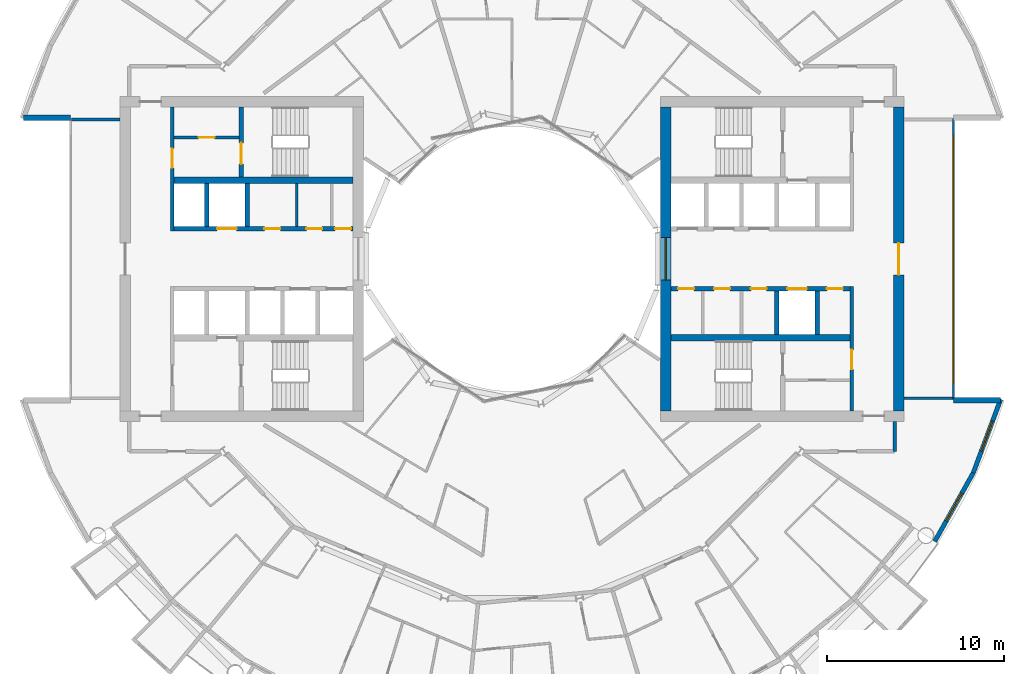
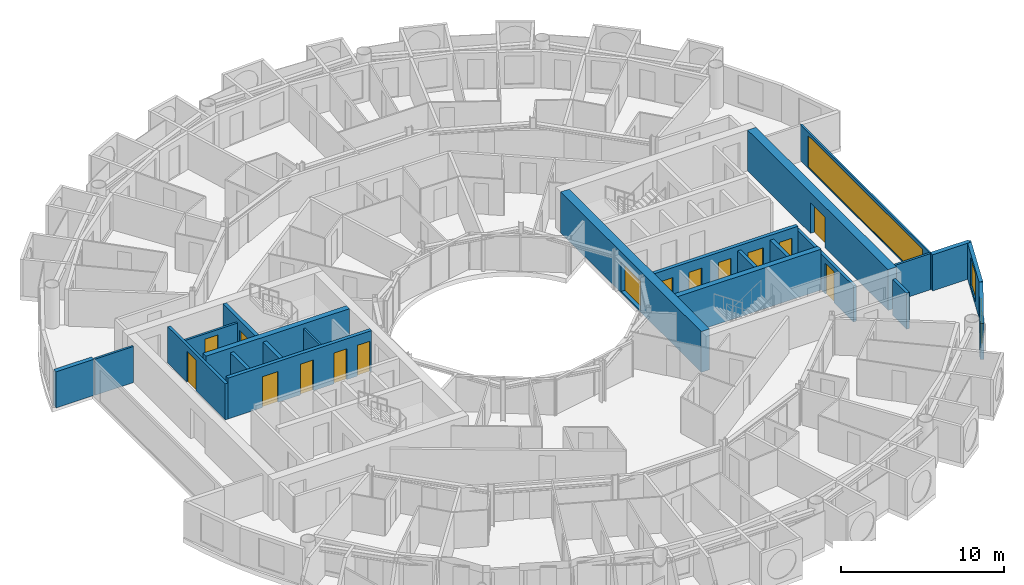
# One storey, part 18 of 27: 23 walls, 14 doors, 4 windows, 18 openings.
"""IFC4 building model written with IfcOpenShell, lengths in metres."""

from ifc_helpers import new_model, si_unit, direction, frame, frame_2d, origin, place, context, subcontext, project, spatial, rectangle, extrude, material, layer, layer_set, type_object, element, fill, save


model = new_model("IFC4")

# Units and contexts
model_context = context("Model", 3, precision=1e-05, world=origin(), true_north=direction((0.0, 1.0)))
body_context = subcontext(model_context, "Body", "Model", "MODEL_VIEW")
ifc_project = project(units=[si_unit("LENGTHUNIT", "METRE"), si_unit("AREAUNIT", "SQUARE_METRE"), si_unit("VOLUMEUNIT", "CUBIC_METRE"), si_unit("PLANEANGLEUNIT", "RADIAN"), si_unit("MASSUNIT", "GRAM", prefix="KILO")], contexts=[model_context])

# Site, building, storey
site_placement = place(None, origin())
site = spatial("IfcSite", under=ifc_project, at=site_placement, CompositionType="ELEMENT")
building_placement = place(site_placement, origin())
building = spatial("IfcBuilding", under=site, at=building_placement, Name="Maasbend Ring Residences", CompositionType="ELEMENT")
storey_placement = place(building_placement, frame((0.0, 0.0, 117.75)))
storey = spatial("IfcBuildingStorey", under=building, at=storey_placement, Name="L33", CompositionType="ELEMENT", Elevation=117.75)

# Wall, openings, doors
ifc_material_1 = material(Name="Concrete C60/75", Category="concrete")
ifc_layer_1 = layer(ifc_material_1, 0.25)
ifc_layer_set_1 = layer_set([ifc_layer_1], Name="Concrete C60/75")
wall_type_1 = type_object("IfcWallType", Name="CORE WALL 250 C60/75", PredefinedType="SHEAR", material=ifc_layer_set_1)
wall_1_placement = place(storey_placement, frame((19.14990234375, -1.699951171875, 0.0), z_axis=(0.0, 0.0, 1.0), x_axis=(-1.0, 0.0, 0.0)))
wall_1 = element("IfcWall", 1, at=wall_1_placement, inside=storey, type_object=wall_type_1, Name="L33 core E wall SPS", PredefinedType="SHEAR", context=body_context, shape_type="SweptSolid", body=[
    extrude(rectangle(XDim=10.14990234375, YDim=0.25, at=frame_2d((5.074951171875, 0.0))), origin(), (0.0, 0.0, 1.0), 3.050048828125),
])
opening_1_placement = place(wall_1_placement, frame((2.449951171875, 0.0, 0.0)))
opening_1 = element("IfcOpeningElement", 2, at=opening_1_placement, cuts=wall_1, Name="Opening LD-E3305", PredefinedType="OPENING", context=body_context, shape_type="SweptSolid", body=[
    extrude(rectangle(XDim=1.10009765625, YDim=2.300048828125, at=frame_2d((0.550048828125, 1.14990234375))), frame((0.0, 0.135009765625, 0.0), z_axis=(0.0, -1.0, 0.0), x_axis=(1.0, 0.0, 0.0)), (0.0, 0.0, 1.0), 0.27001953125),
])
opening_2_placement = place(wall_1_placement, frame((8.83740234375, 0.0, 0.0)))
opening_2 = element("IfcOpeningElement", 3, at=opening_2_placement, cuts=wall_1, Name="Opening D-E3306", PredefinedType="OPENING", context=body_context, shape_type="SweptSolid", body=[
    extrude(rectangle(XDim=0.89990234375, YDim=2.300048828125, at=frame_2d((0.449951171875, 1.14990234375))), frame((0.0, 0.135009765625, 0.0), z_axis=(0.0, -1.0, 0.0), x_axis=(1.0, 0.0, 0.0)), (0.0, 0.0, 1.0), 0.27001953125),
])
opening_3_placement = place(wall_1_placement, frame((6.800048828125, 0.0, 0.0)))
opening_3 = element("IfcOpeningElement", 4, at=opening_3_placement, cuts=wall_1, Name="Opening D-E3307", PredefinedType="OPENING", context=body_context, shape_type="SweptSolid", body=[
    extrude(rectangle(XDim=0.89990234375, YDim=2.300048828125, at=frame_2d((0.449951171875, 1.14990234375))), frame((0.0, 0.135009765625, 0.0), z_axis=(0.0, -1.0, 0.0), x_axis=(1.0, 0.0, 0.0)), (0.0, 0.0, 1.0), 0.27001953125),
])
opening_4_placement = place(wall_1_placement, frame((4.72509765625, 0.0, 0.0)))
opening_4 = element("IfcOpeningElement", 5, at=opening_4_placement, cuts=wall_1, Name="Opening D-E3308", PredefinedType="OPENING", context=body_context, shape_type="SweptSolid", body=[
    extrude(rectangle(XDim=0.89990234375, YDim=2.300048828125, at=frame_2d((0.449951171875, 1.14990234375))), frame((0.0, 0.135009765625, 0.0), z_axis=(0.0, -1.0, 0.0), x_axis=(1.0, 0.0, 0.0)), (0.0, 0.0, 1.0), 0.27001953125),
])
opening_5_placement = place(wall_1_placement, frame((0.41259765625, 0.0, 0.0)))
opening_5 = element("IfcOpeningElement", 6, at=opening_5_placement, cuts=wall_1, Name="Opening D-E3309", PredefinedType="OPENING", context=body_context, shape_type="SweptSolid", body=[
    extrude(rectangle(XDim=0.89990234375, YDim=2.300048828125, at=frame_2d((0.449951171875, 1.14990234375))), frame((0.0, 0.135009765625, 0.0), z_axis=(0.0, -1.0, 0.0), x_axis=(1.0, 0.0, 0.0)), (0.0, 0.0, 1.0), 0.27001953125),
])
ifc_material_2 = material(Name="Stainless steel 316", Category="steel")
door_type_1 = type_object("IfcDoorType", Name="LANDING DOOR 1100 X 2300 FD60", OperationType="DOUBLE_DOOR_SLIDING", PredefinedType="DOOR", material=ifc_material_2)
door_1_placement = place(opening_1_placement, origin())
door_1 = element("IfcDoor", 7, at=door_1_placement, inside=storey, type_object=door_type_1, Name="Landing door SV-E L33", OperationType="DOUBLE_DOOR_SLIDING", OverallHeight=2.300048828125, OverallWidth=1.10009765625, PredefinedType="DOOR", context=body_context, shape_type="SweptSolid", body=[
    extrude(rectangle(XDim=1.10009765625, YDim=2.300048828125, at=frame_2d((0.550048828125, 1.14990234375))), frame((0.0, 0.02490234375, 0.0), z_axis=(0.0, -1.0, 0.0), x_axis=(1.0, 0.0, 0.0)), (0.0, 0.0, 1.0), 0.050048828125),
])
fill(opening_1, door_1)
ifc_material_3 = material(Name="Steel, powder coated", Category="steel")
door_type_2 = type_object("IfcDoorType", Name="ROOM DOOR 900 X 2300 FD30S", OperationType="NOTDEFINED", PredefinedType="DOOR", material=ifc_material_3)
door_2_placement = place(opening_2_placement, origin())
door_2 = element("IfcDoor", 8, at=door_2_placement, inside=storey, type_object=door_type_2, Name="Room door L33", OperationType="SINGLE_SWING_LEFT", OverallHeight=2.300048828125, OverallWidth=0.89990234375, PredefinedType="DOOR", context=body_context, shape_type="SweptSolid", body=[
    extrude(rectangle(XDim=0.89990234375, YDim=2.300048828125, at=frame_2d((0.449951171875, 1.14990234375))), frame((0.0, 0.02490234375, 0.0), z_axis=(0.0, -1.0, 0.0), x_axis=(1.0, 0.0, 0.0)), (0.0, 0.0, 1.0), 0.050048828125),
])
fill(opening_2, door_2)
door_3_placement = place(opening_3_placement, origin())
door_3 = element("IfcDoor", 9, at=door_3_placement, inside=storey, type_object=door_type_2, Name="Room door L33", OperationType="SINGLE_SWING_LEFT", OverallHeight=2.300048828125, OverallWidth=0.89990234375, PredefinedType="DOOR", context=body_context, shape_type="SweptSolid", body=[
    extrude(rectangle(XDim=0.89990234375, YDim=2.300048828125, at=frame_2d((0.449951171875, 1.14990234375))), frame((0.0, 0.02490234375, 0.0), z_axis=(0.0, -1.0, 0.0), x_axis=(1.0, 0.0, 0.0)), (0.0, 0.0, 1.0), 0.050048828125),
])
fill(opening_3, door_3)
door_4_placement = place(opening_4_placement, origin())
door_4 = element("IfcDoor", 10, at=door_4_placement, inside=storey, type_object=door_type_2, Name="Room door L33", OperationType="SINGLE_SWING_LEFT", OverallHeight=2.300048828125, OverallWidth=0.89990234375, PredefinedType="DOOR", context=body_context, shape_type="SweptSolid", body=[
    extrude(rectangle(XDim=0.89990234375, YDim=2.300048828125, at=frame_2d((0.449951171875, 1.14990234375))), frame((0.0, 0.02490234375, 0.0), z_axis=(0.0, -1.0, 0.0), x_axis=(1.0, 0.0, 0.0)), (0.0, 0.0, 1.0), 0.050048828125),
])
fill(opening_4, door_4)
door_5_placement = place(opening_5_placement, origin())
door_5 = element("IfcDoor", 11, at=door_5_placement, inside=storey, type_object=door_type_2, Name="Room door L33", OperationType="SINGLE_SWING_RIGHT", OverallHeight=2.300048828125, OverallWidth=0.89990234375, PredefinedType="DOOR", context=body_context, shape_type="SweptSolid", body=[
    extrude(rectangle(XDim=0.89990234375, YDim=2.300048828125, at=frame_2d((0.449951171875, 1.14990234375))), frame((0.0, 0.02490234375, 0.0), z_axis=(0.0, -1.0, 0.0), x_axis=(1.0, 0.0, 0.0)), (0.0, 0.0, 1.0), 0.050048828125),
])
fill(opening_5, door_5)

wall_2_placement = place(storey_placement, frame((-19.14990234375, 1.699951171875, 0.0), z_axis=(0.0, 0.0, 1.0), x_axis=(1.0, 0.0, 0.0)))
wall_2 = element("IfcWall", 12, at=wall_2_placement, inside=storey, type_object=wall_type_1, Name="L33 core W wall SPS", PredefinedType="SHEAR", context=body_context, shape_type="SweptSolid", body=[
    extrude(rectangle(XDim=10.14990234375, YDim=0.25, at=frame_2d((5.074951171875, 0.0))), origin(), (0.0, 0.0, 1.0), 3.050048828125),
])
opening_6_placement = place(wall_2_placement, frame((2.449951171875, 0.0, 0.0)))
opening_6 = element("IfcOpeningElement", 13, at=opening_6_placement, cuts=wall_2, Name="Opening LD-W3305", PredefinedType="OPENING", context=body_context, shape_type="SweptSolid", body=[
    extrude(rectangle(XDim=1.10009765625, YDim=2.300048828125, at=frame_2d((0.550048828125, 1.14990234375))), frame((0.0, 0.135009765625, 0.0), z_axis=(0.0, -1.0, 0.0), x_axis=(1.0, 0.0, 0.0)), (0.0, 0.0, 1.0), 0.27001953125),
])
opening_7_placement = place(wall_2_placement, frame((9.137451171875, 0.0, 0.0)))
opening_7 = element("IfcOpeningElement", 14, at=opening_7_placement, cuts=wall_2, Name="Opening D-W3306", PredefinedType="OPENING", context=body_context, shape_type="SweptSolid", body=[
    extrude(rectangle(XDim=0.89990234375, YDim=2.300048828125, at=frame_2d((0.449951171875, 1.14990234375))), frame((0.0, 0.135009765625, 0.0), z_axis=(0.0, -1.0, 0.0), x_axis=(1.0, 0.0, 0.0)), (0.0, 0.0, 1.0), 0.27001953125),
])
opening_8_placement = place(wall_2_placement, frame((7.5, 0.0, 0.0)))
opening_8 = element("IfcOpeningElement", 15, at=opening_8_placement, cuts=wall_2, Name="Opening D-W3307", PredefinedType="OPENING", context=body_context, shape_type="SweptSolid", body=[
    extrude(rectangle(XDim=0.89990234375, YDim=2.300048828125, at=frame_2d((0.449951171875, 1.14990234375))), frame((0.0, 0.135009765625, 0.0), z_axis=(0.0, -1.0, 0.0), x_axis=(1.0, 0.0, 0.0)), (0.0, 0.0, 1.0), 0.27001953125),
])
opening_9_placement = place(wall_2_placement, frame((5.125, 0.0, 0.0)))
opening_9 = element("IfcOpeningElement", 16, at=opening_9_placement, cuts=wall_2, Name="Opening D-W3308", PredefinedType="OPENING", context=body_context, shape_type="SweptSolid", body=[
    extrude(rectangle(XDim=0.89990234375, YDim=2.300048828125, at=frame_2d((0.449951171875, 1.14990234375))), frame((0.0, 0.135009765625, 0.0), z_axis=(0.0, -1.0, 0.0), x_axis=(1.0, 0.0, 0.0)), (0.0, 0.0, 1.0), 0.27001953125),
])
door_6_placement = place(opening_6_placement, origin())
door_6 = element("IfcDoor", 17, at=door_6_placement, inside=storey, type_object=door_type_1, Name="Landing door SV-W L33", OperationType="DOUBLE_DOOR_SLIDING", OverallHeight=2.300048828125, OverallWidth=1.10009765625, PredefinedType="DOOR", context=body_context, shape_type="SweptSolid", body=[
    extrude(rectangle(XDim=1.10009765625, YDim=2.300048828125, at=frame_2d((0.550048828125, 1.14990234375))), frame((0.0, 0.02490234375, 0.0), z_axis=(0.0, -1.0, 0.0), x_axis=(1.0, 0.0, 0.0)), (0.0, 0.0, 1.0), 0.050048828125),
])
fill(opening_6, door_6)
door_7_placement = place(opening_7_placement, origin())
door_7 = element("IfcDoor", 18, at=door_7_placement, inside=storey, type_object=door_type_2, Name="Room door L33", OperationType="SINGLE_SWING_LEFT", OverallHeight=2.300048828125, OverallWidth=0.89990234375, PredefinedType="DOOR", context=body_context, shape_type="SweptSolid", body=[
    extrude(rectangle(XDim=0.89990234375, YDim=2.300048828125, at=frame_2d((0.449951171875, 1.14990234375))), frame((0.0, 0.02490234375, 0.0), z_axis=(0.0, -1.0, 0.0), x_axis=(1.0, 0.0, 0.0)), (0.0, 0.0, 1.0), 0.050048828125),
])
fill(opening_7, door_7)
door_8_placement = place(opening_8_placement, origin())
door_8 = element("IfcDoor", 19, at=door_8_placement, inside=storey, type_object=door_type_2, Name="Room door L33", OperationType="SINGLE_SWING_LEFT", OverallHeight=2.300048828125, OverallWidth=0.89990234375, PredefinedType="DOOR", context=body_context, shape_type="SweptSolid", body=[
    extrude(rectangle(XDim=0.89990234375, YDim=2.300048828125, at=frame_2d((0.449951171875, 1.14990234375))), frame((0.0, 0.02490234375, 0.0), z_axis=(0.0, -1.0, 0.0), x_axis=(1.0, 0.0, 0.0)), (0.0, 0.0, 1.0), 0.050048828125),
])
fill(opening_8, door_8)
door_9_placement = place(opening_9_placement, origin())
door_9 = element("IfcDoor", 20, at=door_9_placement, inside=storey, type_object=door_type_2, Name="Room door L33", OperationType="SINGLE_SWING_LEFT", OverallHeight=2.300048828125, OverallWidth=0.89990234375, PredefinedType="DOOR", context=body_context, shape_type="SweptSolid", body=[
    extrude(rectangle(XDim=0.89990234375, YDim=2.300048828125, at=frame_2d((0.449951171875, 1.14990234375))), frame((0.0, 0.02490234375, 0.0), z_axis=(0.0, -1.0, 0.0), x_axis=(1.0, 0.0, 0.0)), (0.0, 0.0, 1.0), 0.050048828125),
])
fill(opening_9, door_9)

# Wall, opening, door
wall_3_placement = place(storey_placement, frame((-15.324951171875, 8.60009765625, 0.0), z_axis=(0.0, 0.0, 1.0), x_axis=(0.0, -1.0, 0.0)))
wall_3 = element("IfcWall", 21, at=wall_3_placement, inside=storey, type_object=wall_type_1, Name="L33 core W wall STES", PredefinedType="SHEAR", context=body_context, shape_type="SweptSolid", body=[
    extrude(rectangle(XDim=3.9501953125, YDim=0.25, at=frame_2d((1.97509765625, 0.0))), origin(), (0.0, 0.0, 1.0), 3.050048828125),
])
opening_10_placement = place(wall_3_placement, frame((2.02490234375, 0.0, 0.0)))
opening_10 = element("IfcOpeningElement", 22, at=opening_10_placement, cuts=wall_3, Name="Opening D-W3311", PredefinedType="OPENING", context=body_context, shape_type="SweptSolid", body=[
    extrude(rectangle(XDim=1.199951171875, YDim=2.300048828125, at=frame_2d((0.60009765625, 1.14990234375))), frame((0.0, 0.135009765625, 0.0), z_axis=(0.0, -1.0, 0.0), x_axis=(1.0, 0.0, 0.0)), (0.0, 0.0, 1.0), 0.27001953125),
])
ifc_material_4 = material(Name="Steel, powder coated", Category="steel")
door_type_3 = type_object("IfcDoorType", Name="STAIR DOOR 1200 X 2300 FD60", OperationType="NOTDEFINED", PredefinedType="DOOR", material=ifc_material_4)
door_10_placement = place(opening_10_placement, origin())
door_10 = element("IfcDoor", 23, at=door_10_placement, inside=storey, type_object=door_type_3, Name="Stair door ST-W L33", OperationType="SINGLE_SWING_LEFT", OverallHeight=2.300048828125, OverallWidth=1.199951171875, PredefinedType="DOOR", context=body_context, shape_type="SweptSolid", body=[
    extrude(rectangle(XDim=1.199951171875, YDim=2.300048828125, at=frame_2d((0.60009765625, 1.14990234375))), frame((0.0, 0.02490234375, 0.0), z_axis=(0.0, -1.0, 0.0), x_axis=(1.0, 0.0, 0.0)), (0.0, 0.0, 1.0), 0.050048828125),
])
fill(opening_10, door_10)

# Walls
ifc_material_5 = material(Name="Concrete C60/75", Category="concrete")
ifc_layer_2 = layer(ifc_material_5, 0.375)
ifc_layer_set_2 = layer_set([ifc_layer_2], Name="Concrete C60/75")
wall_type_2 = type_object("IfcWallType", Name="CORE WALL 375 C60/75", PredefinedType="SHEAR", material=ifc_layer_set_2)
for number, where, z_axis, x_axis, name in (
    (24, (9.0, -4.46240234375, 0.0), (0.0, 0.0, 1.0), (1.0, 0.0, 0.0), "L33 core E wall BS"),
    (25, (-9.0, 4.46240234375, 0.0), (0.0, 0.0, 1.0), (-1.0, 0.0, 0.0), "L33 core W wall BS"),
):
    element("IfcWall", number, at=place(storey_placement, frame(where, z_axis=z_axis, x_axis=x_axis)), inside=storey, type_object=wall_type_2, Name=name, PredefinedType="SHEAR", context=body_context, shape_type="SweptSolid", body=[
        extrude(rectangle(XDim=10.14990234375, YDim=0.375, at=frame_2d((5.074951171875, 0.0))), origin(), (0.0, 0.0, 1.0), 3.050048828125),
    ])

# Wall, opening, door
ifc_material_6 = material(Name="Concrete C60/75", Category="concrete")
ifc_layer_3 = layer(ifc_material_6, 0.60009765625)
ifc_layer_set_3 = layer_set([ifc_layer_3], Name="Concrete C60/75")
wall_type_3 = type_object("IfcWallType", Name="CORE WALL 600 C60/75", PredefinedType="SHEAR", material=ifc_layer_set_3)
wall_4_placement = place(storey_placement, frame((21.89990234375, 8.60009765625, 0.0), z_axis=(0.0, 0.0, 1.0), x_axis=(0.0, -1.0, 0.0)))
wall_4 = element("IfcWall", 26, at=wall_4_placement, inside=storey, type_object=wall_type_3, Name="L33 core E wall POUT", PredefinedType="SHEAR", context=body_context, shape_type="SweptSolid", body=[
    extrude(rectangle(XDim=17.2001953125, YDim=0.60009765625, at=frame_2d((8.60009765625, 0.0))), origin(), (0.0, 0.0, 1.0), 3.050048828125),
])
opening_11_placement = place(wall_4_placement, frame((7.699951171875, 0.0, 0.0)))
opening_11 = element("IfcOpeningElement", 27, at=opening_11_placement, cuts=wall_4, Name="Opening D-E3317", PredefinedType="OPENING", context=body_context, shape_type="SweptSolid", body=[
    extrude(rectangle(XDim=1.800048828125, YDim=2.300048828125, at=frame_2d((0.89990234375, 1.14990234375))), frame((0.0, 0.31005859375, 0.0), z_axis=(0.0, -1.0, 0.0), x_axis=(1.0, 0.0, 0.0)), (0.0, 0.0, 1.0), 0.6201171875),
])
ifc_material_7 = material(Name="Aluminium frame, clear glass", Category="aluminium")
door_type_4 = type_object("IfcDoorType", Name="ENTRANCE DOOR 1800 X 2300 FD60", OperationType="NOTDEFINED", PredefinedType="DOOR", material=ifc_material_7)
door_11_placement = place(opening_11_placement, origin())
door_11 = element("IfcDoor", 28, at=door_11_placement, inside=storey, type_object=door_type_4, Name="Lobby glazed door L33", OperationType="SINGLE_SWING_LEFT", OverallHeight=2.300048828125, OverallWidth=1.800048828125, PredefinedType="DOOR", context=body_context, shape_type="SweptSolid", body=[
    extrude(rectangle(XDim=1.800048828125, YDim=2.300048828125, at=frame_2d((0.89990234375, 1.14990234375))), frame((0.0, 0.02490234375, 0.0), z_axis=(0.0, -1.0, 0.0), x_axis=(1.0, 0.0, 0.0)), (0.0, 0.0, 1.0), 0.050048828125),
])
fill(opening_11, door_11)

# Wall, opening, window
wall_5_placement = place(storey_placement, frame((8.699951171875, -8.60009765625, 0.0), z_axis=(0.0, 0.0, 1.0), x_axis=(0.0, 1.0, 0.0)))
wall_5 = element("IfcWall", 29, at=wall_5_placement, inside=storey, type_object=wall_type_3, Name="L33 core E wall PIN", PredefinedType="SHEAR", context=body_context, shape_type="SweptSolid", body=[
    extrude(rectangle(XDim=17.2001953125, YDim=0.60009765625, at=frame_2d((8.60009765625, 0.0))), origin(), (0.0, 0.0, 1.0), 3.050048828125),
])
opening_12_placement = place(wall_5_placement, frame((7.39990234375, 0.0, 0.10009765625)))
opening_12 = element("IfcOpeningElement", 30, at=opening_12_placement, cuts=wall_5, Name="Opening W-E3301", PredefinedType="OPENING", context=body_context, shape_type="SweptSolid", body=[
    extrude(rectangle(XDim=2.39990234375, YDim=2.199951171875, at=frame_2d((1.199951171875, 1.10009765625))), frame((0.0, 0.31005859375, 0.0), z_axis=(0.0, -1.0, 0.0), x_axis=(1.0, 0.0, 0.0)), (0.0, 0.0, 1.0), 0.6201171875),
])
ifc_material_8 = material(Name="Aluminium frame and clear glass", Category="aluminium")
window_type_1 = type_object("IfcWindowType", Name="FIXED WINDOW 2400 X 2200", PartitioningType="SINGLE_PANEL", PredefinedType="WINDOW", material=ifc_material_8)
window_1_placement = place(opening_12_placement, origin())
window_1 = element("IfcWindow", 31, at=window_1_placement, inside=storey, type_object=window_type_1, Name="Lobby window L33", OverallHeight=2.199951171875, OverallWidth=2.39990234375, PartitioningType="SINGLE_PANEL", PredefinedType="WINDOW", context=body_context, shape_type="SweptSolid", body=[
    extrude(rectangle(XDim=2.39990234375, YDim=2.199951171875, at=frame_2d((1.199951171875, 1.10009765625))), frame((0.0, 0.030029296875, 0.0), z_axis=(0.0, -1.0, 0.0), x_axis=(1.0, 0.0, 0.0)), (0.0, 0.0, 1.0), 0.06005859375),
])
fill(opening_12, window_1)

# Wall
ifc_material_9 = material(Name="Concrete C30/37", Category="concrete")
ifc_layer_4 = layer(ifc_material_9, 0.199951171875)
ifc_layer_set_4 = layer_set([ifc_layer_4], Name="Concrete C30/37")
wall_type_4 = type_object("IfcWallType", Name="CORRIDOR WALL 200 CONCRETE", PredefinedType="PARTITIONING", material=ifc_layer_set_4)
wall_6_placement = place(storey_placement, frame((21.675048828125, -10.89990234375, 0.0), z_axis=(0.0, 0.0, 1.0), x_axis=(0.0, 1.0, 0.0)))
element("IfcWall", 32, at=wall_6_placement, inside=storey, type_object=wall_type_4, Name="U-L33-w009", PredefinedType="PARTITIONING", context=body_context, shape_type="SweptSolid", body=[
    extrude(rectangle(XDim=1.699951171875, YDim=0.199951171875, at=frame_2d((0.85009765625, 0.0))), origin(), (0.0, 0.0, 1.0), 2.699951171875),
])

# Wall, opening, window
ifc_material_10 = material(Name="Aluminium clad insulated panel", Category="aluminium")
ifc_layer_5 = layer(ifc_material_10, 0.25)
ifc_layer_set_5 = layer_set([ifc_layer_5], Name="EW-HORN")
wall_type_5 = type_object("IfcWallType", Name="EW-HORN", PredefinedType="SOLIDWALL", material=ifc_layer_set_5)
wall_7_placement = place(storey_placement, frame((23.946044921875, -16.0, 0.0), z_axis=(0.0, 0.0, 1.0), x_axis=(0.489696356642, 0.871893042919, 0.0)))
wall_7 = element("IfcWall", 33, at=wall_7_placement, inside=storey, type_object=wall_type_5, Name="Horn wall 2.1", PredefinedType="SOLIDWALL", context=body_context, shape_type="SweptSolid", body=[
    extrude(rectangle(XDim=4.45361328125, YDim=0.25, at=frame_2d((2.226806640625, 0.0))), origin(), (0.0, 0.0, 1.0), 2.699951171875),
])
opening_13_placement = place(wall_7_placement, frame((1.32666015625, 0.0, 0.300048828125)))
opening_13 = element("IfcOpeningElement", 34, at=opening_13_placement, cuts=wall_7, Name="Opening W-BX", PredefinedType="OPENING", context=body_context, shape_type="SweptSolid", body=[
    extrude(rectangle(XDim=1.800048828125, YDim=2.10009765625, at=frame_2d((0.89990234375, 1.050048828125))), frame((0.0, 0.135009765625, 0.0), z_axis=(0.0, -1.0, 0.0), x_axis=(1.0, 0.0, 0.0)), (0.0, 0.0, 1.0), 0.27001953125),
])
ifc_material_11 = material(Name="Aluminium and clear glass", Category="aluminium")
window_type_2 = type_object("IfcWindowType", Name="W-BX", PartitioningType="DOUBLE_PANEL_VERTICAL", PredefinedType="WINDOW", material=ifc_material_11)
window_2_placement = place(opening_13_placement, origin())
window_2 = element("IfcWindow", 35, at=window_2_placement, inside=storey, type_object=window_type_2, Name="Horn window 2.1", OverallHeight=2.10009765625, OverallWidth=1.800048828125, PartitioningType="SINGLE_PANEL", PredefinedType="WINDOW", context=body_context, shape_type="SweptSolid", body=[
    extrude(rectangle(XDim=1.800048828125, YDim=2.10009765625, at=frame_2d((0.89990234375, 1.050048828125))), frame((0.0, 0.030029296875, 0.0), z_axis=(0.0, -1.0, 0.0), x_axis=(1.0, 0.0, 0.0)), (0.0, 0.0, 1.0), 0.06005859375),
])
fill(opening_13, window_2)

wall_8_placement = place(storey_placement, frame((26.126953125, -12.116943359375, 0.0), z_axis=(0.0, 0.0, 1.0), x_axis=(0.349247811493, 0.937030397675, 0.0)))
wall_8 = element("IfcWall", 36, at=wall_8_placement, inside=storey, type_object=wall_type_5, Name="Horn wall 2.2", PredefinedType="SOLIDWALL", context=body_context, shape_type="SweptSolid", body=[
    extrude(rectangle(XDim=4.4521484375, YDim=0.25, at=frame_2d((2.22607421875, 0.0))), origin(), (0.0, 0.0, 1.0), 2.699951171875),
])
opening_14_placement = place(wall_8_placement, frame((1.32666015625, 0.0, 0.300048828125)))
opening_14 = element("IfcOpeningElement", 37, at=opening_14_placement, cuts=wall_8, Name="Opening W-BX", PredefinedType="OPENING", context=body_context, shape_type="SweptSolid", body=[
    extrude(rectangle(XDim=1.800048828125, YDim=2.10009765625, at=frame_2d((0.89990234375, 1.050048828125))), frame((0.0, 0.135009765625, 0.0), z_axis=(0.0, -1.0, 0.0), x_axis=(1.0, 0.0, 0.0)), (0.0, 0.0, 1.0), 0.27001953125),
])
window_3_placement = place(opening_14_placement, origin())
window_3 = element("IfcWindow", 38, at=window_3_placement, inside=storey, type_object=window_type_2, Name="Horn window 2.2", OverallHeight=2.10009765625, OverallWidth=1.800048828125, PartitioningType="SINGLE_PANEL", PredefinedType="WINDOW", context=body_context, shape_type="SweptSolid", body=[
    extrude(rectangle(XDim=1.800048828125, YDim=2.10009765625, at=frame_2d((0.89990234375, 1.050048828125))), frame((0.0, 0.030029296875, 0.0), z_axis=(0.0, -1.0, 0.0), x_axis=(1.0, 0.0, 0.0)), (0.0, 0.0, 1.0), 0.06005859375),
])
fill(opening_14, window_3)

# Walls
ifc_material_12 = material(Name="Aluminium clad insulated panel", Category="aluminium")
ifc_layer_6 = layer(ifc_material_12, 0.300048828125)
ifc_layer_set_6 = layer_set([ifc_layer_6], Name="EW-RET")
wall_type_6 = type_object("IfcWallType", Name="EW-RET", PredefinedType="SOLIDWALL", material=ifc_layer_set_6)
for number, where, z_axis, x_axis, name in (
    (39, (25.0, -8.0, 0.0), (0.0, 0.0, 1.0), (1.0, 0.0, 0.0), "Notch return wall east south"),
    (40, (-25.0, 8.0, 0.0), (0.0, 0.0, 1.0), (-1.0, 0.0, 0.0), "Notch return wall west north"),
):
    element("IfcWall", number, at=place(storey_placement, frame(where, z_axis=z_axis, x_axis=x_axis)), inside=storey, type_object=wall_type_6, Name=name, PredefinedType="SOLIDWALL", context=body_context, shape_type="SweptSolid", body=[
        extrude(rectangle(XDim=2.6669921875, YDim=0.300048828125, at=frame_2d((1.33349609375, 0.0))), origin(), (0.0, 0.0, 1.0), 2.699951171875),
    ])

# Wall, opening, window
ifc_material_13 = material(Name="Aluminium frame and clear glass", Category="aluminium")
ifc_layer_7 = layer(ifc_material_13, 0.1201171875)
ifc_layer_set_7 = layer_set([ifc_layer_7], Name="GLAZED SCREEN WALL 120 EI 60")
wall_type_7 = type_object("IfcWallType", Name="GLAZED SCREEN WALL 120 EI 60", PredefinedType="PARTITIONING", material=ifc_layer_set_7)
wall_9_placement = place(storey_placement, frame((25.0, -7.949951171875, 0.0), z_axis=(0.0, 0.0, 1.0), x_axis=(0.0, 1.0, 0.0)))
wall_9 = element("IfcWall", 41, at=wall_9_placement, inside=storey, type_object=wall_type_7, Name="L33 core E wall FACE", PredefinedType="PARTITIONING", context=body_context, shape_type="SweptSolid", body=[
    extrude(rectangle(XDim=15.89990234375, YDim=0.1201171875, at=frame_2d((7.949951171875, 0.0))), origin(), (0.0, 0.0, 1.0), 2.699951171875),
])
opening_15_placement = place(wall_9_placement, frame((0.949951171875, 0.0, 0.10009765625)))
opening_15 = element("IfcOpeningElement", 42, at=opening_15_placement, cuts=wall_9, Name="Opening W-E3302", PredefinedType="OPENING", context=body_context, shape_type="SweptSolid", body=[
    extrude(rectangle(XDim=14.0, YDim=2.35009765625, at=frame_2d((7.0, 1.175048828125))), frame((0.0, 0.070068359375, 0.0), z_axis=(0.0, -1.0, 0.0), x_axis=(1.0, 0.0, 0.0)), (0.0, 0.0, 1.0), 0.14013671875),
])
ifc_material_14 = material(Name="Aluminium frame and clear glass", Category="aluminium")
window_type_3 = type_object("IfcWindowType", Name="FIXED WINDOW 14000 X 2350", PartitioningType="SINGLE_PANEL", PredefinedType="WINDOW", material=ifc_material_14)
window_4_placement = place(opening_15_placement, origin())
window_4 = element("IfcWindow", 43, at=window_4_placement, inside=storey, type_object=window_type_3, Name="Lobby window L33", OverallHeight=2.35009765625, OverallWidth=14.0, PartitioningType="SINGLE_PANEL", PredefinedType="WINDOW", context=body_context, shape_type="SweptSolid", body=[
    extrude(rectangle(XDim=14.0, YDim=2.35009765625, at=frame_2d((7.0, 1.175048828125))), frame((0.0, 0.030029296875, 0.0), z_axis=(0.0, -1.0, 0.0), x_axis=(1.0, 0.0, 0.0)), (0.0, 0.0, 1.0), 0.06005859375),
])
fill(opening_15, window_4)

# Walls
ifc_material_15 = material(Name="Gypsum board on steel studs", Category="steel")
ifc_layer_8 = layer(ifc_material_15, 0.14990234375)
ifc_layer_set_8 = layer_set([ifc_layer_8], Name="PARTITION 150 EI 60")
wall_type_8 = type_object("IfcWallType", Name="PARTITION 150 EI 60", PredefinedType="PARTITIONING", material=ifc_layer_set_8)
wall_10_placement = place(storey_placement, frame((22.199951171875, -7.89990234375, 0.0), z_axis=(0.0, 0.0, 1.0), x_axis=(1.0, 0.0, 0.0)))
element("IfcWall", 44, at=wall_10_placement, inside=storey, type_object=wall_type_8, Name="L33 core E wall CITS", PredefinedType="PARTITIONING", context=body_context, shape_type="SweptSolid", body=[
    extrude(rectangle(XDim=2.739990234375, YDim=0.14990234375, at=frame_2d((1.3701171875, 0.0))), origin(), (0.0, 0.0, 1.0), 2.699951171875),
])
wall_11_placement = place(storey_placement, frame((-12.199951171875, 1.824951171875, 0.0), z_axis=(0.0, 0.0, 1.0), x_axis=(0.0, 1.0, 0.0)))
element("IfcWall", 45, at=wall_11_placement, inside=storey, type_object=wall_type_8, Name="L33 core W wall PRS1220", PredefinedType="PARTITIONING", context=body_context, shape_type="SweptSolid", body=[
    extrude(rectangle(XDim=2.449951171875, YDim=0.14990234375, at=frame_2d((1.22509765625, 0.0))), origin(), (0.0, 0.0, 1.0), 2.699951171875),
])

# Wall, opening, door
wall_12_placement = place(storey_placement, frame((-15.449951171875, 6.875, 0.0), z_axis=(0.0, 0.0, 1.0), x_axis=(-1.0, 0.0, 0.0)))
wall_12 = element("IfcWall", 46, at=wall_12_placement, inside=storey, type_object=wall_type_8, Name="L33 core W wall RHS", PredefinedType="PARTITIONING", context=body_context, shape_type="SweptSolid", body=[
    extrude(rectangle(XDim=3.699951171875, YDim=0.14990234375, at=frame_2d((1.85009765625, 0.0))), origin(), (0.0, 0.0, 1.0), 2.699951171875),
])
opening_16_placement = place(wall_12_placement, frame((1.39990234375, 0.0, 0.0)))
opening_16 = element("IfcOpeningElement", 47, at=opening_16_placement, cuts=wall_12, Name="Opening D-W3309", PredefinedType="OPENING", context=body_context, shape_type="SweptSolid", body=[
    extrude(rectangle(XDim=0.89990234375, YDim=2.300048828125, at=frame_2d((0.449951171875, 1.14990234375))), frame((0.0, 0.0849609375, 0.0), z_axis=(0.0, -1.0, 0.0), x_axis=(1.0, 0.0, 0.0)), (0.0, 0.0, 1.0), 0.169921875),
])
ifc_material_16 = material(Name="Steel, powder coated", Category="steel")
door_type_5 = type_object("IfcDoorType", Name="RISER DOOR 900 X 2300 FD60", OperationType="NOTDEFINED", PredefinedType="DOOR", material=ifc_material_16)
door_12_placement = place(opening_16_placement, origin())
door_12 = element("IfcDoor", 48, at=door_12_placement, inside=storey, type_object=door_type_5, Name="Riser door L33", OperationType="SINGLE_SWING_LEFT", OverallHeight=2.300048828125, OverallWidth=0.89990234375, PredefinedType="DOOR", context=body_context, shape_type="SweptSolid", body=[
    extrude(rectangle(XDim=0.89990234375, YDim=2.300048828125, at=frame_2d((0.449951171875, 1.14990234375))), frame((0.0, 0.02490234375, 0.0), z_axis=(0.0, -1.0, 0.0), x_axis=(1.0, 0.0, 0.0)), (0.0, 0.0, 1.0), 0.050048828125),
])
fill(opening_16, door_12)

# Wall
wall_13_placement = place(storey_placement, frame((-22.199951171875, 7.89990234375, 0.0), z_axis=(0.0, 0.0, 1.0), x_axis=(-1.0, 0.0, 0.0)))
element("IfcWall", 49, at=wall_13_placement, inside=storey, type_object=wall_type_8, Name="L33 core W wall CITS", PredefinedType="PARTITIONING", context=body_context, shape_type="SweptSolid", body=[
    extrude(rectangle(XDim=2.739990234375, YDim=0.14990234375, at=frame_2d((1.3701171875, 0.0))), origin(), (0.0, 0.0, 1.0), 2.699951171875),
])

# Wall, opening, door
ifc_material_17 = material(Name="Concrete C30/37", Category="concrete")
ifc_layer_9 = layer(ifc_material_17, 0.199951171875)
ifc_layer_set_9 = layer_set([ifc_layer_9], Name="Concrete C30/37")
wall_type_9 = type_object("IfcWallType", Name="SHAFT WALL 200 EI 120", PredefinedType="SOLIDWALL", material=ifc_layer_set_9)
wall_14_placement = place(storey_placement, frame((19.25, -8.60009765625, 0.0), z_axis=(0.0, 0.0, 1.0), x_axis=(0.0, 1.0, 0.0)))
wall_14 = element("IfcWall", 50, at=wall_14_placement, inside=storey, type_object=wall_type_9, Name="L33 core E wall ENDS", PredefinedType="SOLIDWALL", context=body_context, shape_type="SweptSolid", body=[
    extrude(rectangle(XDim=7.025146484375, YDim=0.199951171875, at=frame_2d((3.5126953125, 0.0))), origin(), (0.0, 0.0, 1.0), 2.699951171875),
])
opening_17_placement = place(wall_14_placement, frame((2.35009765625, 0.0, 0.0)))
opening_17 = element("IfcOpeningElement", 51, at=opening_17_placement, cuts=wall_14, Name="Opening D-E3314", PredefinedType="OPENING", context=body_context, shape_type="SweptSolid", body=[
    extrude(rectangle(XDim=1.10009765625, YDim=2.300048828125, at=frame_2d((0.550048828125, 1.14990234375))), frame((0.0, 0.10986328125, 0.0), z_axis=(0.0, -1.0, 0.0), x_axis=(1.0, 0.0, 0.0)), (0.0, 0.0, 1.0), 0.219970703125),
])
ifc_material_18 = material(Name="Steel, powder coated", Category="steel")
door_type_6 = type_object("IfcDoorType", Name="LOBBY DOOR 1100 X 2300 FD60", OperationType="NOTDEFINED", PredefinedType="DOOR", material=ifc_material_18)
door_13_placement = place(opening_17_placement, origin())
door_13 = element("IfcDoor", 52, at=door_13_placement, inside=storey, type_object=door_type_6, Name="Lobby door L33", OperationType="SINGLE_SWING_RIGHT", OverallHeight=2.300048828125, OverallWidth=1.10009765625, PredefinedType="DOOR", context=body_context, shape_type="SweptSolid", body=[
    extrude(rectangle(XDim=1.10009765625, YDim=2.300048828125, at=frame_2d((0.550048828125, 1.14990234375))), frame((0.0, 0.02490234375, 0.0), z_axis=(0.0, -1.0, 0.0), x_axis=(1.0, 0.0, 0.0)), (0.0, 0.0, 1.0), 0.050048828125),
])
fill(opening_17, door_13)

wall_15_placement = place(storey_placement, frame((-19.25, 8.60009765625, 0.0), z_axis=(0.0, 0.0, 1.0), x_axis=(0.0, -1.0, 0.0)))
wall_15 = element("IfcWall", 53, at=wall_15_placement, inside=storey, type_object=wall_type_9, Name="L33 core W wall ENDS", PredefinedType="SOLIDWALL", context=body_context, shape_type="SweptSolid", body=[
    extrude(rectangle(XDim=7.025146484375, YDim=0.199951171875, at=frame_2d((3.5126953125, 0.0))), origin(), (0.0, 0.0, 1.0), 2.699951171875),
])
opening_18_placement = place(wall_15_placement, frame((2.35009765625, 0.0, 0.0)))
opening_18 = element("IfcOpeningElement", 54, at=opening_18_placement, cuts=wall_15, Name="Opening D-W3313", PredefinedType="OPENING", context=body_context, shape_type="SweptSolid", body=[
    extrude(rectangle(XDim=1.10009765625, YDim=2.300048828125, at=frame_2d((0.550048828125, 1.14990234375))), frame((0.0, 0.10986328125, 0.0), z_axis=(0.0, -1.0, 0.0), x_axis=(1.0, 0.0, 0.0)), (0.0, 0.0, 1.0), 0.219970703125),
])
door_14_placement = place(opening_18_placement, origin())
door_14 = element("IfcDoor", 55, at=door_14_placement, inside=storey, type_object=door_type_6, Name="Lobby door L33", OperationType="SINGLE_SWING_RIGHT", OverallHeight=2.300048828125, OverallWidth=1.10009765625, PredefinedType="DOOR", context=body_context, shape_type="SweptSolid", body=[
    extrude(rectangle(XDim=1.10009765625, YDim=2.300048828125, at=frame_2d((0.550048828125, 1.14990234375))), frame((0.0, 0.02490234375, 0.0), z_axis=(0.0, -1.0, 0.0), x_axis=(1.0, 0.0, 0.0)), (0.0, 0.0, 1.0), 0.050048828125),
])
fill(opening_18, door_14)

# Walls
ifc_material_19 = material(Name="Concrete C30/37", Category="concrete")
ifc_layer_10 = layer(ifc_material_19, 0.25)
ifc_layer_set_10 = layer_set([ifc_layer_10], Name="Concrete C30/37")
wall_type_10 = type_object("IfcWallType", Name="SHAFT WALL 250 EI 120", PredefinedType="SOLIDWALL", material=ifc_layer_set_10)
for number, where, z_axis, x_axis, name in (
    (56, (15.0, -1.824951171875, 0.0), (0.0, 0.0, 1.0), (0.0, -1.0, 0.0), "L33 core E wall D150S"),
    (57, (17.300048828125, -1.824951171875, 0.0), (0.0, 0.0, 1.0), (0.0, -1.0, 0.0), "L33 core E wall D173S"),
    (58, (-15.0, 1.824951171875, 0.0), (0.0, 0.0, 1.0), (0.0, 1.0, 0.0), "L33 core W wall D150S"),
    (59, (-17.300048828125, 1.824951171875, 0.0), (0.0, 0.0, 1.0), (0.0, 1.0, 0.0), "L33 core W wall D173S"),
):
    element("IfcWall", number, at=place(storey_placement, frame(where, z_axis=z_axis, x_axis=x_axis)), inside=storey, type_object=wall_type_10, Name=name, PredefinedType="SOLIDWALL", context=body_context, shape_type="SweptSolid", body=[
        extrude(rectangle(XDim=2.449951171875, YDim=0.25, at=frame_2d((1.22509765625, 0.0))), origin(), (0.0, 0.0, 1.0), 2.699951171875),
    ])

save(model, "model.ifc")
